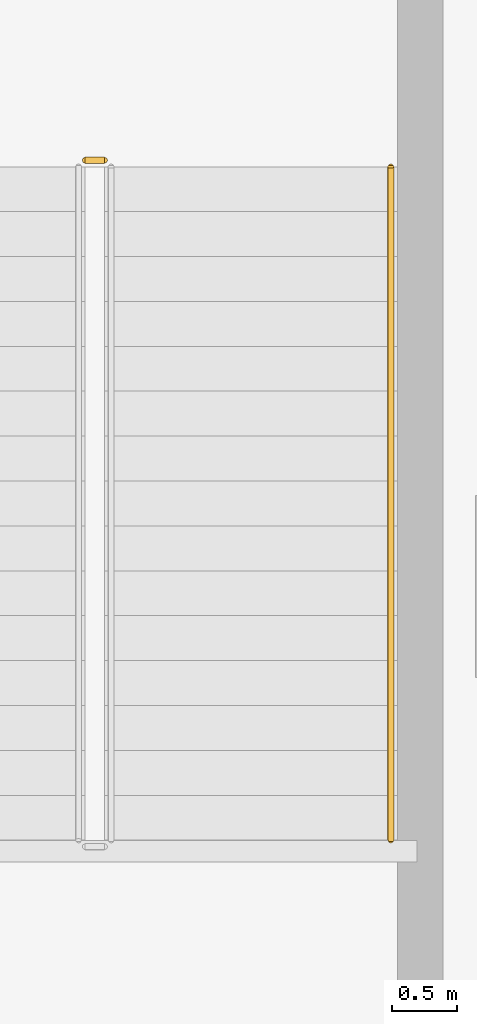
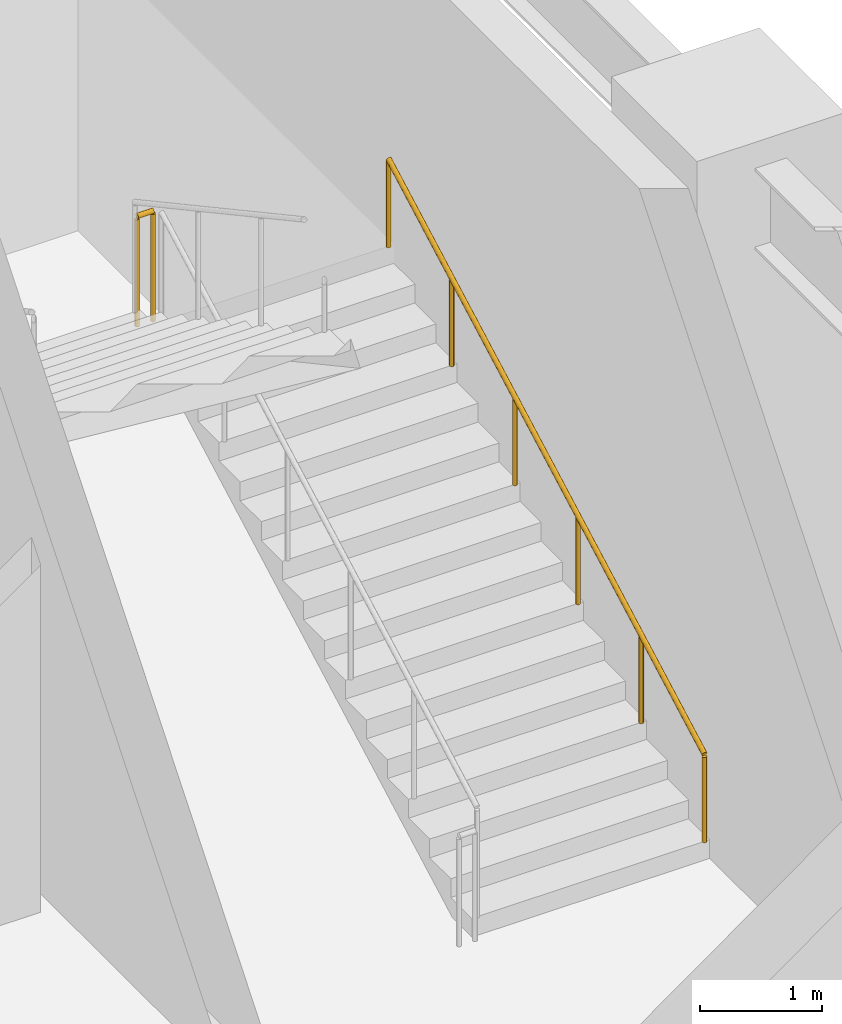
# One storey, part 23 of 28: 2 railings.
"""IFC4 building model written with IfcOpenShell, lengths in metres."""

from ifc_helpers import new_model, si_unit, direction, frame, origin, origin_2d, place, context, subcontext, project, spatial, circle, extrude, material, type_object, element, save


model = new_model("IFC4")

# Units and contexts
model_context = context("Model", 3, precision=1e-05, world=origin(), true_north=direction((0.0, 1.0)))
body_context = subcontext(model_context, "Body", "Model", "MODEL_VIEW")
ifc_project = project(units=[si_unit("LENGTHUNIT", "METRE"), si_unit("AREAUNIT", "SQUARE_METRE"), si_unit("VOLUMEUNIT", "CUBIC_METRE"), si_unit("PLANEANGLEUNIT", "RADIAN"), si_unit("MASSUNIT", "GRAM", prefix="KILO")], contexts=[model_context])

# Site, building, storey
site_placement = place(None, origin())
site = spatial("IfcSite", under=ifc_project, at=site_placement, CompositionType="ELEMENT")
building_placement = place(site_placement, origin())
building = spatial("IfcBuilding", under=site, at=building_placement, Name="Tolvann Quenvar Hotel", CompositionType="ELEMENT")
storey_placement = place(building_placement, origin())
storey = spatial("IfcBuildingStorey", under=building, at=storey_placement, Name="L00", CompositionType="ELEMENT", Elevation=0.0)

# Railings
ifc_material = material(Name="Brushed 316 stainless steel balustrade and handrail", Category="steel")
railing_type_1 = type_object("IfcRailingType", Name="GUARDRAIL", PredefinedType="GUARDRAIL", material=ifc_material)
railing_1_placement = place(storey_placement, frame((52.85009765625, 27.675048828125, 3.0)))
element("IfcRailing", 1, at=railing_1_placement, inside=storey, type_object=railing_type_1, Name="L00 ST-P4 stair guard 2", PredefinedType="GUARDRAIL", context=body_context, shape_type="SweptSolid", body=[
    extrude(circle(Radius=0.02392578125, at=origin_2d()), frame((0.0, 0.0, 1.09619140625), z_axis=(-1.0, 0.0, 0.0), x_axis=(0.0, -1.0, 0.0)), (0.0, 0.0, 1.0), 0.150146484375),
    extrude(circle(Radius=0.02099609375, at=origin_2d()), origin(), (0.0, 0.0, 1.0), 1.072021484375),
    extrude(circle(Radius=0.02099609375, at=origin_2d()), frame((-0.150146484375, 0.0, 0.0)), (0.0, 0.0, 1.0), 1.072021484375),
])
railing_type_2 = type_object("IfcRailingType", Name="HANDRAIL", PredefinedType="HANDRAIL", material=ifc_material)
railing_2_placement = place(storey_placement, frame((55.050048828125, 22.449951171875, 0.1875)))
element("IfcRailing", 2, at=railing_2_placement, inside=storey, type_object=railing_type_2, Name="L00 ST-P4 stair handrail 1", PredefinedType="HANDRAIL", context=body_context, shape_type="SweptSolid", body=[
    extrude(circle(Radius=0.02392578125, at=origin_2d()), frame((0.0, 0.0, 0.8759765625), z_axis=(0.0, 0.878626399866, 0.477509842263), x_axis=(-1.0, 0.0, 0.0)), (0.0, 0.0, 1.0), 5.889892578125),
    extrude(circle(Radius=0.02099609375, at=origin_2d()), origin(), (0.0, 0.0, 1.0), 0.851806640625),
    extrude(circle(Radius=0.02099609375, at=origin_2d()), frame((0.0, 1.034912109375, 0.5625)), (0.0, 0.0, 1.0), 0.851806640625),
    extrude(circle(Radius=0.02099609375, at=origin_2d()), frame((0.0, 2.070068359375, 1.125)), (0.0, 0.0, 1.0), 0.851806640625),
    extrude(circle(Radius=0.02099609375, at=origin_2d()), frame((0.0, 3.10498046875, 1.6875)), (0.0, 0.0, 1.0), 0.851806640625),
    extrude(circle(Radius=0.02099609375, at=origin_2d()), frame((0.0, 4.14013671875, 2.25)), (0.0, 0.0, 1.0), 0.851806640625),
    extrude(circle(Radius=0.02099609375, at=origin_2d()), frame((0.0, 5.175048828125, 2.8125)), (0.0, 0.0, 1.0), 0.851806640625),
])

save(model, "model.ifc")
